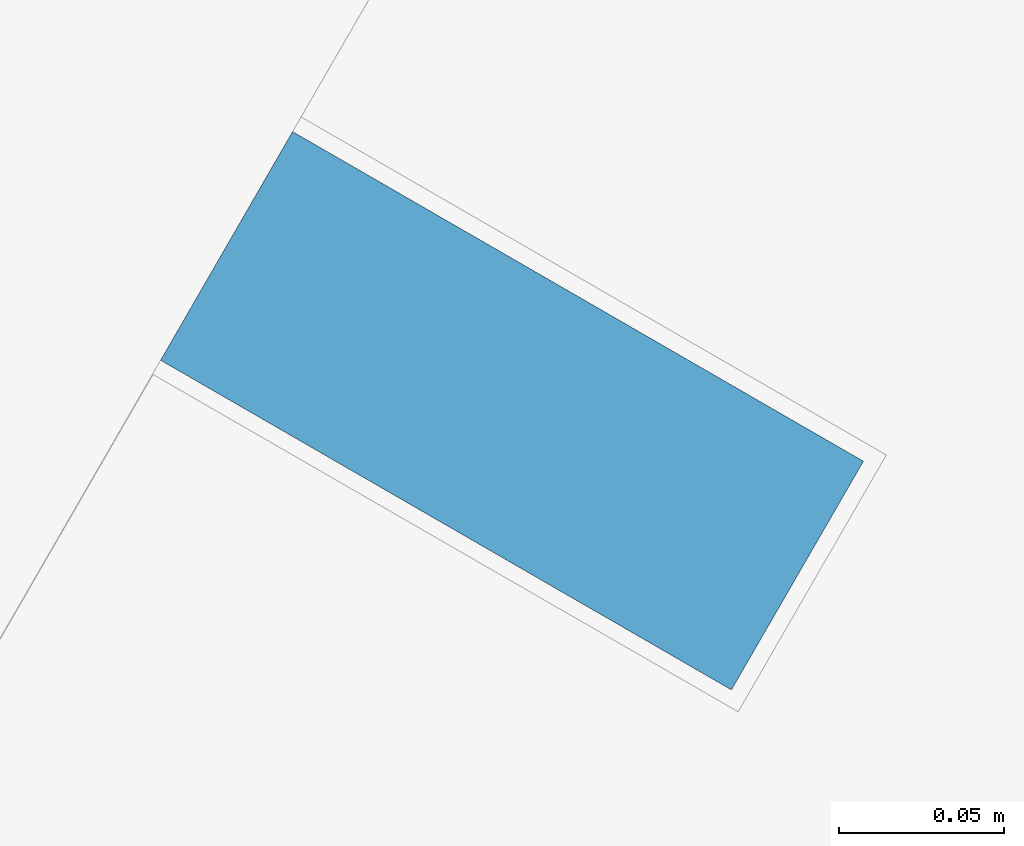
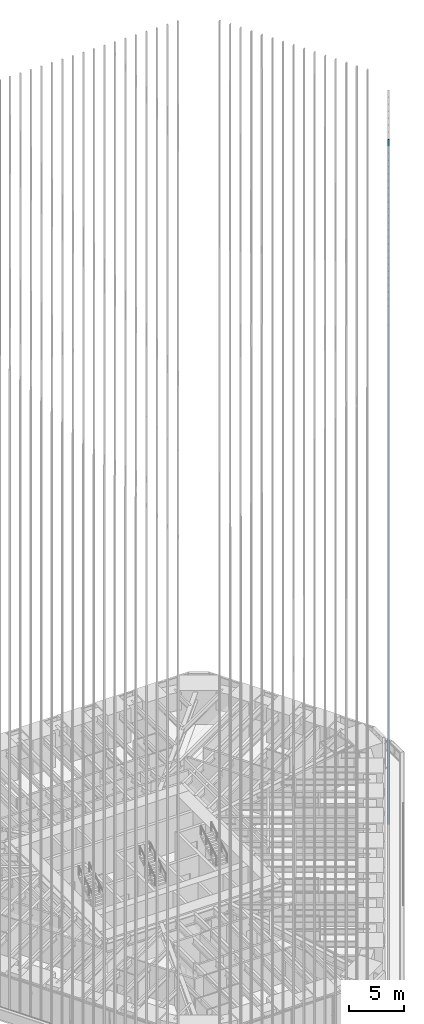
# One storey, part 111 of 238: 1 member, 1 element without a shape of its own.
"""IFC4 building model written with IfcOpenShell, lengths in metres."""

from ifc_helpers import new_model, si_unit, direction, frame, origin, origin_2d, place, context, subcontext, project, spatial, rectangle, extrude, material, material_profile, profile_set, type_object, element, aggregate, save


model = new_model("IFC4")

# Units and contexts
model_context = context("Model", 3, precision=1e-05, world=origin(), true_north=direction((0.0, 1.0)))
body_context = subcontext(model_context, "Body", "Model", "MODEL_VIEW")
ifc_project = project(units=[si_unit("LENGTHUNIT", "METRE"), si_unit("AREAUNIT", "SQUARE_METRE"), si_unit("VOLUMEUNIT", "CUBIC_METRE"), si_unit("PLANEANGLEUNIT", "RADIAN"), si_unit("MASSUNIT", "GRAM", prefix="KILO")], contexts=[model_context])

# Site, building, storey
site_placement = place(None, origin())
site = spatial("IfcSite", under=ifc_project, at=site_placement, CompositionType="ELEMENT")
building_placement = place(site_placement, origin())
building = spatial("IfcBuilding", under=site, at=building_placement, Name="Sandreach Pilgrim Tower", CompositionType="ELEMENT")
storey_placement = place(building_placement, frame((0.0, 0.0, 96.800048828125)))
storey = spatial("IfcBuildingStorey", under=building, at=storey_placement, Name="L23", CompositionType="ELEMENT", Elevation=96.800048828125)

# Curtain wall, member
ifc_material_1 = material(Name="Aluminium framed curtain wall", Category="aluminium")
curtain_wall_type = type_object("IfcCurtainWallType", Name="Hotel tower curtain wall", PredefinedType="NOTDEFINED", material=ifc_material_1)
curtain_wall_placement = place(storey_placement, origin())
curtain_wall = element("IfcCurtainWall", 1, at=curtain_wall_placement, inside=storey, type_object=curtain_wall_type, Name="CW-2 L23 SE", PredefinedType="NOTDEFINED")
ifc_material_2 = material(Name="Extruded terracotta on aluminium core", Category="masonry")
ifc_material_profile = material_profile(ifc_material_2, rectangle(XDim=0.080078125, YDim=0.199951171875, at=origin_2d()), Name="TBE 80X200")
ifc_profile_set = profile_set([ifc_material_profile], Name="Extruded terracotta on aluminium core")
member_type = type_object("IfcMemberType", Name="Terracotta baguette east", PredefinedType="USERDEFINED", material=ifc_profile_set)
member_placement = place(storey_placement, frame((24.77978515625, -2.86767578125, 0.0), z_axis=(0.0, 0.0, 1.0), x_axis=(-0.5, -0.866025403784, 0.0)))
member = element("IfcMember", 2, at=member_placement, type_object=member_type, Name="Baguette Z2 SE08", ObjectType="BAGUETTE", PredefinedType="USERDEFINED", context=body_context, shape_type="SweptSolid", body=[
    extrude(rectangle(XDim=0.080078125, YDim=0.199951171875, at=origin_2d()), origin(), (0.0, 0.0, 1.0), 75.83984375),
])
aggregate(curtain_wall, [member])

save(model, "model.ifc")
